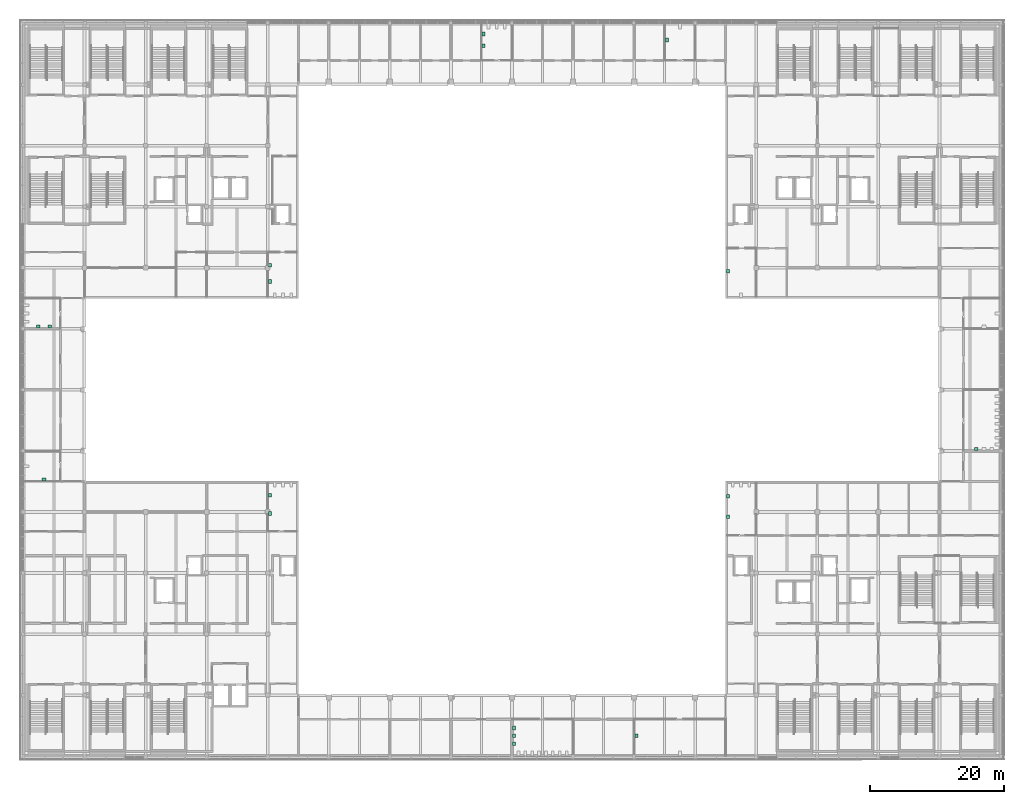
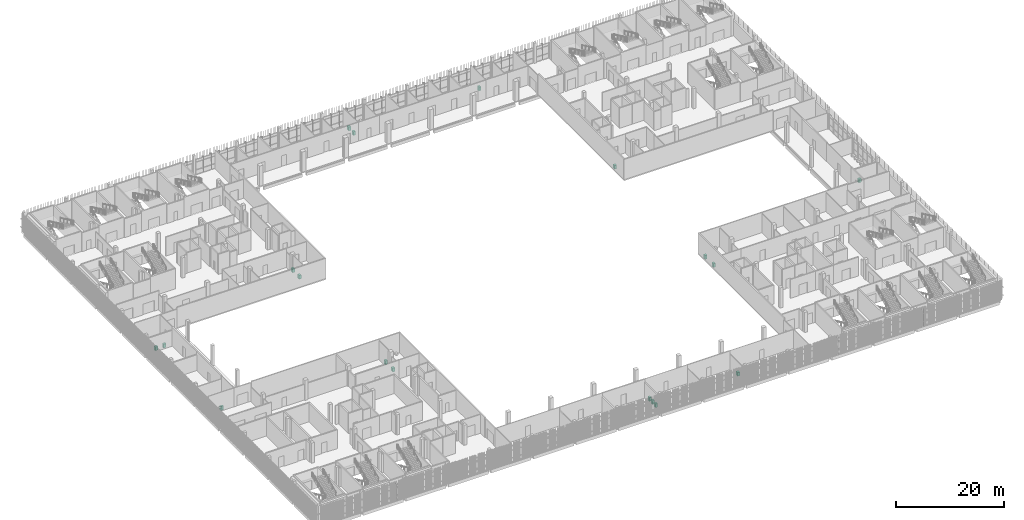
# One storey, part 122 of 124: 18 sanitary terminals.
"""IFC4 building model written with IfcOpenShell, lengths in metres."""

from ifc_helpers import new_model, si_unit, direction, frame, origin, origin_2d, place, context, subcontext, project, spatial, rectangle, extrude, element, save


model = new_model("IFC4")

# Units and contexts
model_context = context("Model", 3, precision=1e-05, world=origin(), true_north=direction((0.0, 1.0)))
body_context = subcontext(model_context, "Body", "Model", "MODEL_VIEW")
ifc_project = project(units=[si_unit("LENGTHUNIT", "METRE"), si_unit("AREAUNIT", "SQUARE_METRE"), si_unit("VOLUMEUNIT", "CUBIC_METRE"), si_unit("PLANEANGLEUNIT", "RADIAN"), si_unit("MASSUNIT", "GRAM", prefix="KILO")], contexts=[model_context])

# Site, building, storey
site_placement = place(None, origin())
site = spatial("IfcSite", under=ifc_project, at=site_placement, CompositionType="ELEMENT")
building_placement = place(site_placement, origin())
building = spatial("IfcBuilding", under=site, at=building_placement, Name="Shirokan Park Arena", CompositionType="ELEMENT")
storey_placement = place(building_placement, frame((0.0, 0.0, 20.02001953125)))
storey = spatial("IfcBuildingStorey", under=building, at=storey_placement, Name="L04", CompositionType="ELEMENT", Elevation=20.02001953125)

# Sanitary terminals
for number, where, z_axis, x_axis, name in (
    (1, (36.72509765625, 36.16259765625, 0.0), (0.0, 0.0, 1.0), (1.0, 0.0, 0.0), "Washbasin Staff WC 4.13"),
    (2, (36.72509765625, 38.887451171875, 0.0), (0.0, 0.0, 1.0), (1.0, 0.0, 0.0), "Washbasin Staff WC 4.13"),
    (3, (104.97509765625, 35.71240234375, 0.0), (0.0, 0.0, 1.0), (1.0, 0.0, 0.0), "Washbasin Staff WC 4.26"),
    (4, (104.97509765625, 38.737548828125, 0.0), (0.0, 0.0, 1.0), (1.0, 0.0, 0.0), "Washbasin Staff WC 4.26"),
    (5, (104.97509765625, 72.27490234375, 0.0), (0.0, 0.0, 1.0), (1.0, 0.0, 0.0), "Washbasin Accessible WC 4.33"),
    (6, (36.72509765625, 70.762451171875, 0.0), (0.0, 0.0, 1.0), (1.0, 0.0, 0.0), "Washbasin Women's WC 4.44"),
    (7, (36.72509765625, 73.1875, 0.0), (0.0, 0.0, 1.0), (1.0, 0.0, 0.0), "Washbasin Women's WC 4.44"),
):
    element("IfcSanitaryTerminal", number, at=place(storey_placement, frame(where, z_axis=z_axis, x_axis=x_axis)), inside=storey, Name=name, PredefinedType="WASHHANDBASIN", context=body_context, shape_type="SweptSolid", body=[
        extrude(rectangle(XDim=0.449951171875, YDim=0.550048828125, at=origin_2d()), origin(), (0.0, 0.0, 1.0), 0.85009765625),
    ])
sanitary_terminal_placement = place(storey_placement, frame((141.9833984375, 45.824951171875, 0.0), z_axis=(0.0, 0.0, 1.0), x_axis=(1.0, 0.0, 0.0)))
element("IfcSanitaryTerminal", 8, at=sanitary_terminal_placement, inside=storey, Name="Washbasin Staff WC 4.22", PredefinedType="WASHHANDBASIN", context=body_context, shape_type="SweptSolid", body=[
    extrude(rectangle(XDim=0.550048828125, YDim=0.449951171875, at=origin_2d()), origin(), (0.0, 0.0, 1.0), 0.85009765625),
])
for number, where, z_axis, x_axis, name in (
    (9, (95.875, 106.75, 0.0), (0.0, 0.0, 1.0), (1.0, 0.0, 0.0), "Washbasin Accessible WC 4.43"),
    (10, (68.574951171875, 105.875, 0.0), (0.0, 0.0, 1.0), (1.0, 0.0, 0.0), "Washbasin Staff WC 4.37"),
    (11, (68.574951171875, 107.625, 0.0), (0.0, 0.0, 1.0), (1.0, 0.0, 0.0), "Washbasin Staff WC 4.37"),
    (12, (73.125, 1.88330078125, 0.0), (0.0, 0.0, 1.0), (1.0, 0.0, 0.0), "Washbasin Staff WC 4.14"),
    (13, (73.125, 3.050048828125, 0.0), (0.0, 0.0, 1.0), (1.0, 0.0, 0.0), "Washbasin Staff WC 4.14"),
    (14, (73.125, 4.216796875, 0.0), (0.0, 0.0, 1.0), (1.0, 0.0, 0.0), "Washbasin Staff WC 4.14"),
    (15, (91.324951171875, 3.050048828125, 0.0), (0.0, 0.0, 1.0), (1.0, 0.0, 0.0), "Washbasin Accessible WC 4.16"),
):
    element("IfcSanitaryTerminal", number, at=place(storey_placement, frame(where, z_axis=z_axis, x_axis=x_axis)), inside=storey, Name=name, PredefinedType="WASHHANDBASIN", context=body_context, shape_type="SweptSolid", body=[
        extrude(rectangle(XDim=0.449951171875, YDim=0.550048828125, at=origin_2d()), origin(), (0.0, 0.0, 1.0), 0.85009765625),
    ])
for number, where, z_axis, x_axis, name in (
    (16, (3.050048828125, 41.27490234375, 0.0), (0.0, 0.0, 1.0), (1.0, 0.0, 0.0), "Washbasin Accessible WC 4.41"),
    (17, (2.175048828125, 64.02490234375, 0.0), (0.0, 0.0, 1.0), (1.0, 0.0, 0.0), "Washbasin Staff WC 4.44"),
    (18, (3.925048828125, 64.02490234375, 0.0), (0.0, 0.0, 1.0), (1.0, 0.0, 0.0), "Washbasin Staff WC 4.44"),
):
    element("IfcSanitaryTerminal", number, at=place(storey_placement, frame(where, z_axis=z_axis, x_axis=x_axis)), inside=storey, Name=name, PredefinedType="WASHHANDBASIN", context=body_context, shape_type="SweptSolid", body=[
        extrude(rectangle(XDim=0.550048828125, YDim=0.449951171875, at=origin_2d()), origin(), (0.0, 0.0, 1.0), 0.85009765625),
    ])

save(model, "model.ifc")
